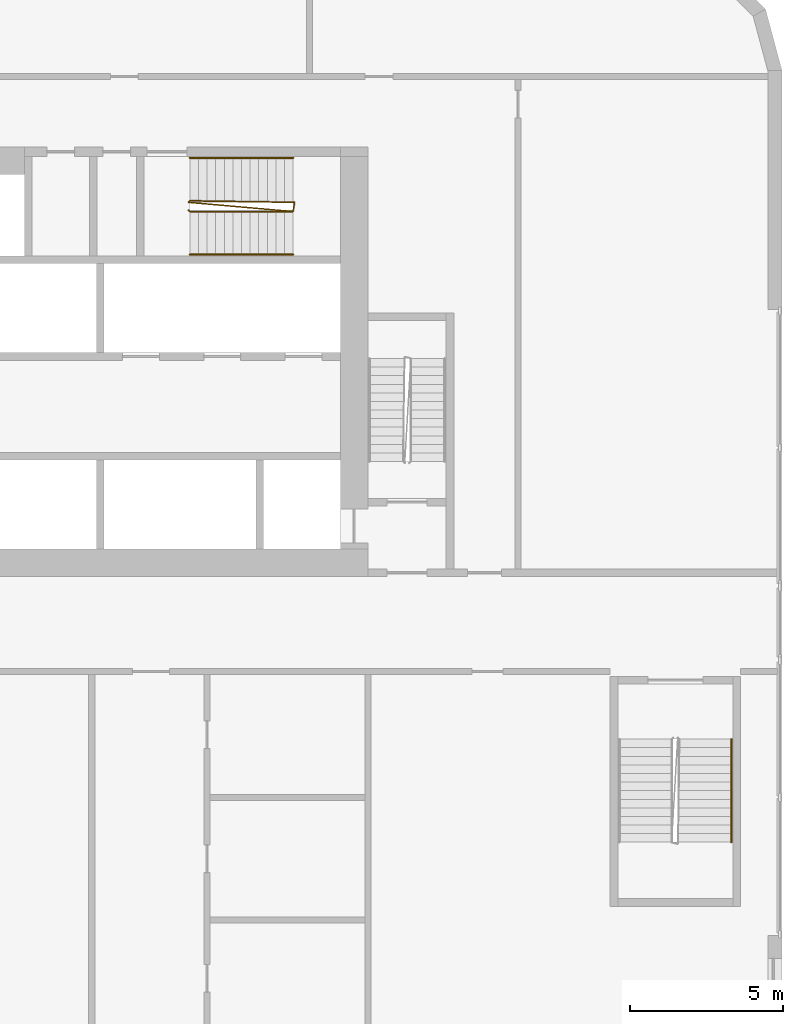
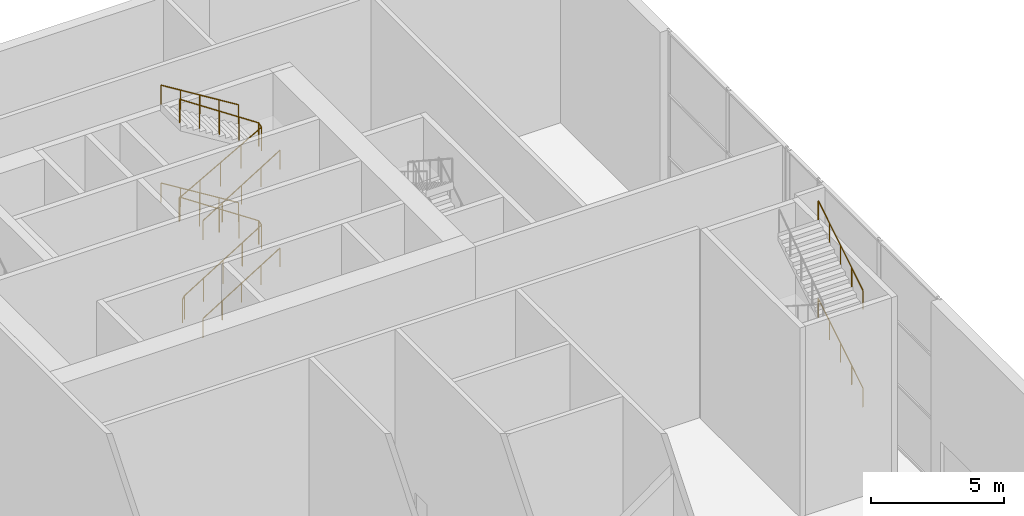
# One storey, part 24 of 24: 7 railings.
"""IFC4 building model written with IfcOpenShell, lengths in metres."""

from ifc_helpers import new_model, si_unit, direction, frame, origin, origin_2d, place, context, subcontext, project, spatial, circle, extrude, material, type_object, element, save


model = new_model("IFC4")

# Units and contexts
model_context = context("Model", 3, precision=1e-05, world=origin(), true_north=direction((0.0, 1.0)))
body_context = subcontext(model_context, "Body", "Model", "MODEL_VIEW")
ifc_project = project(units=[si_unit("LENGTHUNIT", "METRE"), si_unit("AREAUNIT", "SQUARE_METRE"), si_unit("VOLUMEUNIT", "CUBIC_METRE"), si_unit("PLANEANGLEUNIT", "RADIAN"), si_unit("MASSUNIT", "GRAM", prefix="KILO")], contexts=[model_context])

# Site, building, storey
site_placement = place(None, origin())
site = spatial("IfcSite", under=ifc_project, at=site_placement, CompositionType="ELEMENT")
building_placement = place(site_placement, origin())
building = spatial("IfcBuilding", under=site, at=building_placement, Name="Kajstack Hotel Tower", CompositionType="ELEMENT")
storey_placement = place(building_placement, frame((0.0, 0.0, 38.0)))
storey = spatial("IfcBuildingStorey", under=building, at=storey_placement, Name="L06", CompositionType="ELEMENT", Elevation=38.0)

# Railings
ifc_material = material(Name="Steel S355J2", Category="steel")
railing_type_1 = type_object("IfcRailingType", Name="Stair guard 1100", PredefinedType="GUARDRAIL", material=ifc_material)
railing_1_placement = place(storey_placement, frame((25.64990234375, 13.449951171875, 0.0)))
element("IfcRailing", 1, at=railing_1_placement, inside=storey, type_object=railing_type_1, Name="L06 E3 stair guard 1", PredefinedType="GUARDRAIL", context=body_context, shape_type="SweptSolid", body=[
    extrude(circle(Radius=0.02392578125, at=origin_2d()), frame((0.0, 0.0, 1.076171875), z_axis=(0.267629722418, -0.267629722418, 0.925607186314), x_axis=(0.707106781187, 0.707106781187, 0.0)), (0.0, 0.0, 1.0), 0.18701171875),
    extrude(circle(Radius=0.02392578125, at=origin_2d()), frame((0.050048828125, -0.050048828125, 1.2490234375), z_axis=(0.850623216509, 0.0, 0.525775754039), x_axis=(0.0, 1.0, 0.0)), (0.0, 0.0, 1.0), 3.9501953125),
    extrude(circle(Radius=0.02392578125, at=origin_2d()), frame((3.41015625, -0.050048828125, 3.326171875), z_axis=(0.164529134168, 0.986372223864, 0.0), x_axis=(-0.986372223864, 0.164529134168, 0.0)), (0.0, 0.0, 1.0), 0.30419921875),
    extrude(circle(Radius=0.02392578125, at=origin_2d()), frame((3.460205078125, 0.25, 3.326171875), z_axis=(-0.834625896233, 0.01224930618, 0.5506810037), x_axis=(-0.014674822837, -0.99989231899, 0.0)), (0.0, 0.0, 1.0), 4.0859375),
    extrude(circle(Radius=0.02392578125, at=origin_2d()), frame((0.050048828125, 0.300048828125, 5.576171875), z_axis=(-0.707106781187, -0.707106781187, 0.0), x_axis=(0.707106781187, -0.707106781187, 0.0)), (0.0, 0.0, 1.0), 0.07080078125),
    extrude(circle(Radius=0.02392578125, at=origin_2d()), frame((0.0, 0.25, 5.576171875), z_axis=(0.832446568112, -0.073244332203, 0.549243096487), x_axis=(0.08764820887, 0.996151490227, 0.0)), (0.0, 0.0, 1.0), 4.096435546875),
    extrude(circle(Radius=0.02392578125, at=origin_2d()), frame((3.41015625, -0.050048828125, 7.826171875), z_axis=(0.164529134168, 0.986372223864, 0.0), x_axis=(-0.986372223864, 0.164529134168, 0.0)), (0.0, 0.0, 1.0), 0.30419921875),
    extrude(circle(Radius=0.02392578125, at=origin_2d()), frame((3.460205078125, 0.25, 7.826171875), z_axis=(-0.834625896233, 0.01224930618, 0.5506810037), x_axis=(-0.014674822837, -0.99989231899, 0.0)), (0.0, 0.0, 1.0), 4.0859375),
    extrude(circle(Radius=0.02099609375, at=origin_2d()), origin(), (0.0, 0.0, 1.0), 1.052001953125),
    extrude(circle(Radius=0.02099609375, at=origin_2d()), frame((0.050048828125, -0.050048828125, 0.173095703125)), (0.0, 0.0, 1.0), 1.052001953125),
    extrude(circle(Radius=0.02099609375, at=origin_2d()), frame((0.89013671875, -0.050048828125, 0.6923828125)), (0.0, 0.0, 1.0), 1.052001953125),
    extrude(circle(Radius=0.02099609375, at=origin_2d()), frame((1.72998046875, -0.050048828125, 1.21142578125)), (0.0, 0.0, 1.0), 1.052001953125),
    extrude(circle(Radius=0.02099609375, at=origin_2d()), frame((2.570068359375, -0.050048828125, 1.730712890625)), (0.0, 0.0, 1.0), 1.052001953125),
    extrude(circle(Radius=0.02099609375, at=origin_2d()), frame((3.41015625, -0.050048828125, 2.25)), (0.0, 0.0, 1.0), 1.052001953125),
    extrude(circle(Radius=0.02099609375, at=origin_2d()), frame((3.460205078125, 0.25, 2.25)), (0.0, 0.0, 1.0), 1.052001953125),
    extrude(circle(Radius=0.02099609375, at=origin_2d()), frame((2.607666015625, 0.262451171875, 2.8125)), (0.0, 0.0, 1.0), 1.052001953125),
    extrude(circle(Radius=0.02099609375, at=origin_2d()), frame((1.755126953125, 0.27490234375, 3.375)), (0.0, 0.0, 1.0), 1.052001953125),
    extrude(circle(Radius=0.02099609375, at=origin_2d()), frame((0.902587890625, 0.28759765625, 3.9375)), (0.0, 0.0, 1.0), 1.052001953125),
    extrude(circle(Radius=0.02099609375, at=origin_2d()), frame((0.050048828125, 0.300048828125, 4.5)), (0.0, 0.0, 1.0), 1.052001953125),
    extrude(circle(Radius=0.02099609375, at=origin_2d()), frame((0.0, 0.25, 4.5)), (0.0, 0.0, 1.0), 1.052001953125),
    extrude(circle(Radius=0.02099609375, at=origin_2d()), frame((0.8525390625, 0.175048828125, 5.0625)), (0.0, 0.0, 1.0), 1.052001953125),
    extrude(circle(Radius=0.02099609375, at=origin_2d()), frame((1.705078125, 0.10009765625, 5.625)), (0.0, 0.0, 1.0), 1.052001953125),
    extrude(circle(Radius=0.02099609375, at=origin_2d()), frame((2.5576171875, 0.02490234375, 6.1875)), (0.0, 0.0, 1.0), 1.052001953125),
    extrude(circle(Radius=0.02099609375, at=origin_2d()), frame((3.41015625, -0.050048828125, 6.75)), (0.0, 0.0, 1.0), 1.052001953125),
    extrude(circle(Radius=0.02099609375, at=origin_2d()), frame((3.460205078125, 0.25, 6.75)), (0.0, 0.0, 1.0), 1.052001953125),
    extrude(circle(Radius=0.02099609375, at=origin_2d()), frame((2.607666015625, 0.262451171875, 7.3125)), (0.0, 0.0, 1.0), 1.052001953125),
    extrude(circle(Radius=0.02099609375, at=origin_2d()), frame((1.755126953125, 0.27490234375, 7.875)), (0.0, 0.0, 1.0), 1.052001953125),
    extrude(circle(Radius=0.02099609375, at=origin_2d()), frame((0.902587890625, 0.28759765625, 8.4375)), (0.0, 0.0, 1.0), 1.052001953125),
    extrude(circle(Radius=0.02099609375, at=origin_2d()), frame((0.050048828125, 0.300048828125, 9.0)), (0.0, 0.0, 1.0), 1.052001953125),
])
railing_type_2 = type_object("IfcRailingType", Name="Stair handrail 900", PredefinedType="HANDRAIL", material=ifc_material)
railing_2_placement = place(storey_placement, frame((25.699951171875, 12.0, 0.173095703125)))
element("IfcRailing", 2, at=railing_2_placement, inside=storey, type_object=railing_type_2, Name="L06 E3 stair handrail 1", PredefinedType="HANDRAIL", context=body_context, shape_type="SweptSolid", body=[
    extrude(circle(Radius=0.02392578125, at=origin_2d()), frame((0.0, 0.0, 0.8759765625), z_axis=(0.850623216509, 0.0, 0.525775754039), x_axis=(0.0, 1.0, 0.0)), (0.0, 0.0, 1.0), 3.9501953125),
    extrude(circle(Radius=0.02099609375, at=origin_2d()), origin(), (0.0, 0.0, 1.0), 0.851806640625),
    extrude(circle(Radius=0.02099609375, at=origin_2d()), frame((0.840087890625, 0.0, 0.519287109375)), (0.0, 0.0, 1.0), 0.851806640625),
    extrude(circle(Radius=0.02099609375, at=origin_2d()), frame((1.68017578125, 0.0, 1.03857421875)), (0.0, 0.0, 1.0), 0.851806640625),
    extrude(circle(Radius=0.02099609375, at=origin_2d()), frame((2.52001953125, 0.0, 1.5576171875)), (0.0, 0.0, 1.0), 0.851806640625),
    extrude(circle(Radius=0.02099609375, at=origin_2d()), frame((3.360107421875, 0.0, 2.076904296875)), (0.0, 0.0, 1.0), 0.851806640625),
])
railing_3_placement = place(storey_placement, frame((29.06005859375, 15.14990234375, 2.423095703125)))
element("IfcRailing", 3, at=railing_3_placement, inside=storey, type_object=railing_type_2, Name="L06 E3 stair handrail 2", PredefinedType="HANDRAIL", context=body_context, shape_type="SweptSolid", body=[
    extrude(circle(Radius=0.02392578125, at=origin_2d()), frame((0.0, 0.0, 0.8759765625), z_axis=(-0.850623216509, 0.0, 0.525775754039), x_axis=(0.0, -1.0, 0.0)), (0.0, 0.0, 1.0), 3.9501953125),
    extrude(circle(Radius=0.02099609375, at=origin_2d()), origin(), (0.0, 0.0, 1.0), 0.851806640625),
    extrude(circle(Radius=0.02099609375, at=origin_2d()), frame((-0.840087890625, 0.0, 0.519287109375)), (0.0, 0.0, 1.0), 0.851806640625),
    extrude(circle(Radius=0.02099609375, at=origin_2d()), frame((-1.68017578125, 0.0, 1.03857421875)), (0.0, 0.0, 1.0), 0.851806640625),
    extrude(circle(Radius=0.02099609375, at=origin_2d()), frame((-2.52001953125, 0.0, 1.5576171875)), (0.0, 0.0, 1.0), 0.851806640625),
    extrude(circle(Radius=0.02099609375, at=origin_2d()), frame((-3.360107421875, 0.0, 2.076904296875)), (0.0, 0.0, 1.0), 0.851806640625),
])
railing_4_placement = place(storey_placement, frame((25.699951171875, 12.0, 4.673095703125)))
element("IfcRailing", 4, at=railing_4_placement, inside=storey, type_object=railing_type_2, Name="L06 E3 stair handrail 3", PredefinedType="HANDRAIL", context=body_context, shape_type="SweptSolid", body=[
    extrude(circle(Radius=0.02392578125, at=origin_2d()), frame((0.0, 0.0, 0.8759765625), z_axis=(0.850623216509, 0.0, 0.525775754039), x_axis=(0.0, 1.0, 0.0)), (0.0, 0.0, 1.0), 3.9501953125),
    extrude(circle(Radius=0.02099609375, at=origin_2d()), origin(), (0.0, 0.0, 1.0), 0.851806640625),
    extrude(circle(Radius=0.02099609375, at=origin_2d()), frame((0.840087890625, 0.0, 0.519287109375)), (0.0, 0.0, 1.0), 0.851806640625),
    extrude(circle(Radius=0.02099609375, at=origin_2d()), frame((1.68017578125, 0.0, 1.03857421875)), (0.0, 0.0, 1.0), 0.851806640625),
    extrude(circle(Radius=0.02099609375, at=origin_2d()), frame((2.52001953125, 0.0, 1.5576171875)), (0.0, 0.0, 1.0), 0.851806640625),
    extrude(circle(Radius=0.02099609375, at=origin_2d()), frame((3.360107421875, 0.0, 2.076904296875)), (0.0, 0.0, 1.0), 0.851806640625),
])
railing_5_placement = place(storey_placement, frame((29.06005859375, 15.14990234375, 6.923095703125)))
element("IfcRailing", 5, at=railing_5_placement, inside=storey, type_object=railing_type_2, Name="L06 E3 stair handrail 4", PredefinedType="HANDRAIL", context=body_context, shape_type="SweptSolid", body=[
    extrude(circle(Radius=0.02392578125, at=origin_2d()), frame((0.0, 0.0, 0.8759765625), z_axis=(-0.850623216509, 0.0, 0.525775754039), x_axis=(0.0, -1.0, 0.0)), (0.0, 0.0, 1.0), 3.9501953125),
    extrude(circle(Radius=0.02099609375, at=origin_2d()), origin(), (0.0, 0.0, 1.0), 0.851806640625),
    extrude(circle(Radius=0.02099609375, at=origin_2d()), frame((-0.840087890625, 0.0, 0.519287109375)), (0.0, 0.0, 1.0), 0.851806640625),
    extrude(circle(Radius=0.02099609375, at=origin_2d()), frame((-1.68017578125, 0.0, 1.03857421875)), (0.0, 0.0, 1.0), 0.851806640625),
    extrude(circle(Radius=0.02099609375, at=origin_2d()), frame((-2.52001953125, 0.0, 1.5576171875)), (0.0, 0.0, 1.0), 0.851806640625),
    extrude(circle(Radius=0.02099609375, at=origin_2d()), frame((-3.360107421875, 0.0, 2.076904296875)), (0.0, 0.0, 1.0), 0.851806640625),
])
for number, where, name in (
    (6, (43.35009765625, -7.159912109375, 2.423095703125), "L06 P2 stair handrail 2"),
    (7, (43.35009765625, -7.159912109375, 6.923095703125), "L06 P2 stair handrail 4"),
):
    element("IfcRailing", number, at=place(storey_placement, frame(where)), inside=storey, type_object=railing_type_2, Name=name, PredefinedType="HANDRAIL", context=body_context, shape_type="SweptSolid", body=[
        extrude(circle(Radius=0.02392578125, at=origin_2d()), frame((0.0, 0.0, 0.8759765625), z_axis=(0.0, 0.850606129759, 0.525803396734), x_axis=(-1.0, 0.0, 0.0)), (0.0, 0.0, 1.0), 3.949951171875),
        extrude(circle(Radius=0.02099609375, at=origin_2d()), origin(), (0.0, 0.0, 1.0), 0.851806640625),
        extrude(circle(Radius=0.02099609375, at=origin_2d()), frame((0.0, 0.83984375, 0.519287109375)), (0.0, 0.0, 1.0), 0.851806640625),
        extrude(circle(Radius=0.02099609375, at=origin_2d()), frame((0.0, 1.679931640625, 1.03857421875)), (0.0, 0.0, 1.0), 0.851806640625),
        extrude(circle(Radius=0.02099609375, at=origin_2d()), frame((0.0, 2.52001953125, 1.5576171875)), (0.0, 0.0, 1.0), 0.851806640625),
        extrude(circle(Radius=0.02099609375, at=origin_2d()), frame((0.0, 3.35986328125, 2.076904296875)), (0.0, 0.0, 1.0), 0.851806640625),
    ])

save(model, "model.ifc")
